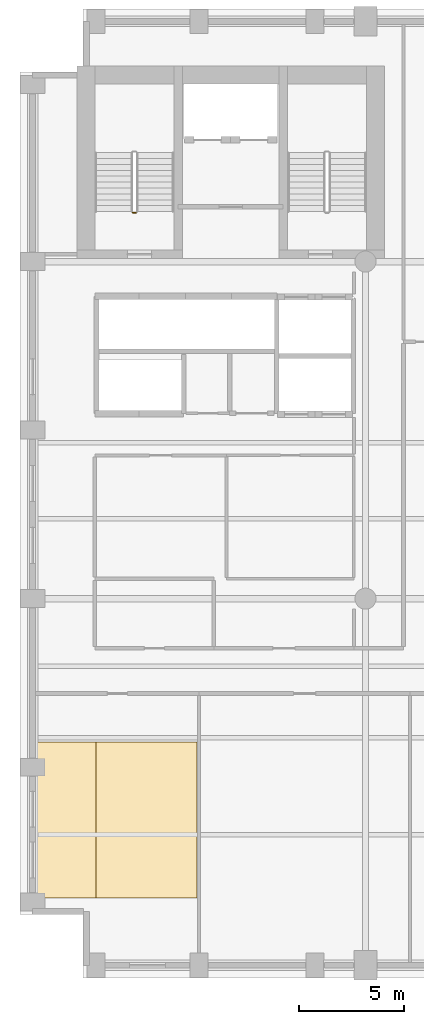
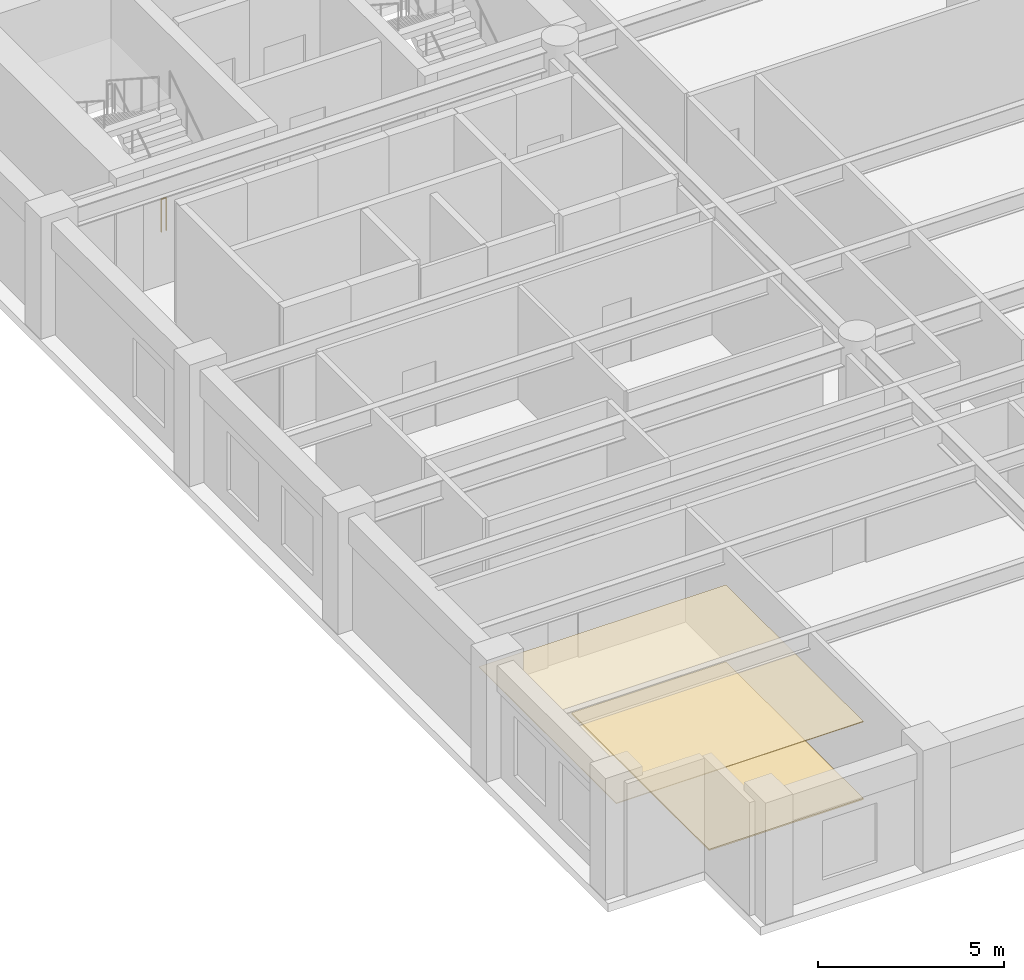
# One storey, part 7 of 9: 2 coverings, 1 railing.
"""IFC4 building model written with IfcOpenShell, lengths in metres."""

from ifc_helpers import new_model, si_unit, direction, frame, origin, origin_2d, place, context, subcontext, project, spatial, polyline, circle, outline, extrude, material, layer, layer_set, type_object, element, save


model = new_model("IFC4")

# Units and contexts
model_context = context("Model", 3, precision=1e-05, world=origin(), true_north=direction((0.0, 1.0)))
body_context = subcontext(model_context, "Body", "Model", "MODEL_VIEW")
ifc_project = project(units=[si_unit("LENGTHUNIT", "METRE"), si_unit("AREAUNIT", "SQUARE_METRE"), si_unit("VOLUMEUNIT", "CUBIC_METRE"), si_unit("PLANEANGLEUNIT", "RADIAN"), si_unit("MASSUNIT", "GRAM", prefix="KILO")], contexts=[model_context])

# Site, building, storey
site_placement = place(None, origin())
site = spatial("IfcSite", under=ifc_project, at=site_placement, CompositionType="ELEMENT")
building_placement = place(site_placement, origin())
building = spatial("IfcBuilding", under=site, at=building_placement, Name="Sulina Concourse Tower", CompositionType="ELEMENT")
storey_placement = place(building_placement, frame((0.0, 0.0, 96.60009765625)))
storey = spatial("IfcBuildingStorey", under=building, at=storey_placement, Name="L23", CompositionType="ELEMENT", Elevation=96.60009765625)

# Railing
ifc_material_1 = material(Name="Galvanised steel railing", Category="steel")
railing_type = type_object("IfcRailingType", Name="Core Stair Steel Guardrail 1150mm", PredefinedType="GUARDRAIL", material=ifc_material_1)
railing_placement = place(storey_placement, frame((5.5048828125, 36.324951171875, 0.0)))
element("IfcRailing", 1, at=railing_placement, inside=storey, type_object=railing_type, Name="L23 ST-1 stair guard 4", PredefinedType="GUARDRAIL", context=body_context, shape_type="SweptSolid", body=[
    extrude(circle(Radius=0.02392578125, at=origin_2d()), frame((0.0, 0.0, 1.076171875), z_axis=(-1.0, 0.0, 0.0), x_axis=(0.0, -1.0, 0.0)), (0.0, 0.0, 1.0), 0.14990234375),
    extrude(circle(Radius=0.02099609375, at=origin_2d()), origin(), (0.0, 0.0, 1.0), 1.052001953125),
    extrude(circle(Radius=0.02099609375, at=origin_2d()), frame((-0.14990234375, 0.0, 0.0)), (0.0, 0.0, 1.0), 1.052001953125),
])

# Coverings
ifc_material_2 = material(Name="Polished granite flooring", Category="masonry")
ifc_layer_1 = layer(ifc_material_2, 0.044921875)
ifc_layer_set_1 = layer_set([ifc_layer_1], Name="Polished granite flooring")
covering_type_1 = type_object("IfcCoveringType", Name="Polished Granite & Raised Access Flooring 45mm", PredefinedType="FLOORING", material=ifc_layer_set_1)
covering_1_placement = place(storey_placement, origin())
element("IfcCovering", 2, at=covering_1_placement, inside=storey, type_object=covering_type_1, Name="L23 raised access floor finish", PredefinedType="FLOORING", context=body_context, shape_type="SweptSolid", body=[
    extrude(outline(polyline([(3.60009765625, 3.800048828125), (8.39990234375, 3.800048828125), (8.39990234375, 11.199951171875), (3.60009765625, 11.199951171875), (3.60009765625, 3.800048828125)])), origin(), (0.0, 0.0, 1.0), 0.044921875),
])
ifc_material_3 = material(Name="Acoustic mineral ceiling board")
ifc_layer_2 = layer(ifc_material_3, 0.02490234375)
ifc_layer_set_2 = layer_set([ifc_layer_2], Name="Acoustic mineral ceiling board")
covering_type_2 = type_object("IfcCoveringType", Name="Suspended Acoustic Mineral Ceiling 25mm", PredefinedType="CEILING", material=ifc_layer_set_2)
covering_2_placement = place(storey_placement, frame((0.0, 0.0, 2.5498046875)))
element("IfcCovering", 3, at=covering_2_placement, inside=storey, type_object=covering_type_2, Name="L23 suspended acoustic tile ceiling", PredefinedType="CEILING", context=body_context, shape_type="SweptSolid", body=[
    extrude(outline(polyline([(0.719970703125, 3.800048828125), (8.39990234375, 3.800048828125), (8.39990234375, 11.199951171875), (0.719970703125, 11.199951171875), (0.719970703125, 3.800048828125)])), origin(), (0.0, 0.0, 1.0), 0.025146484375),
])

save(model, "model.ifc")
